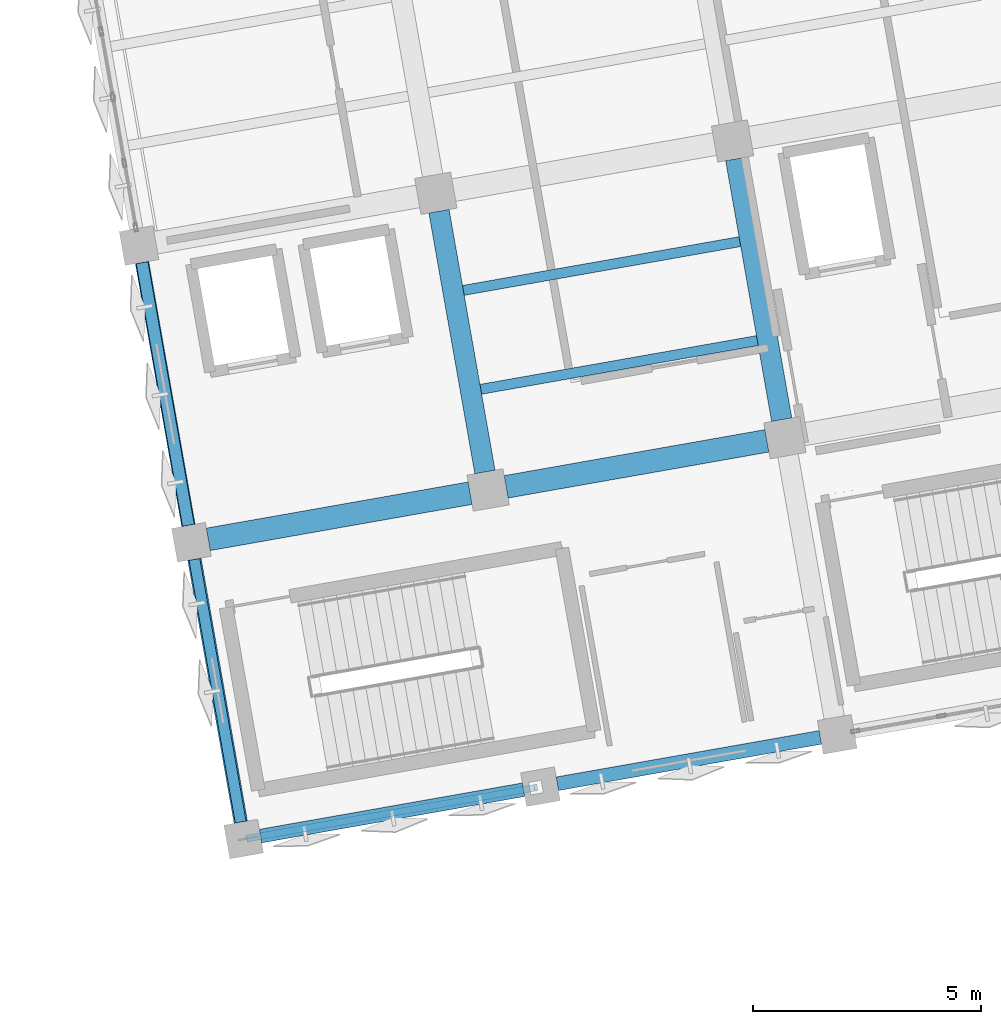
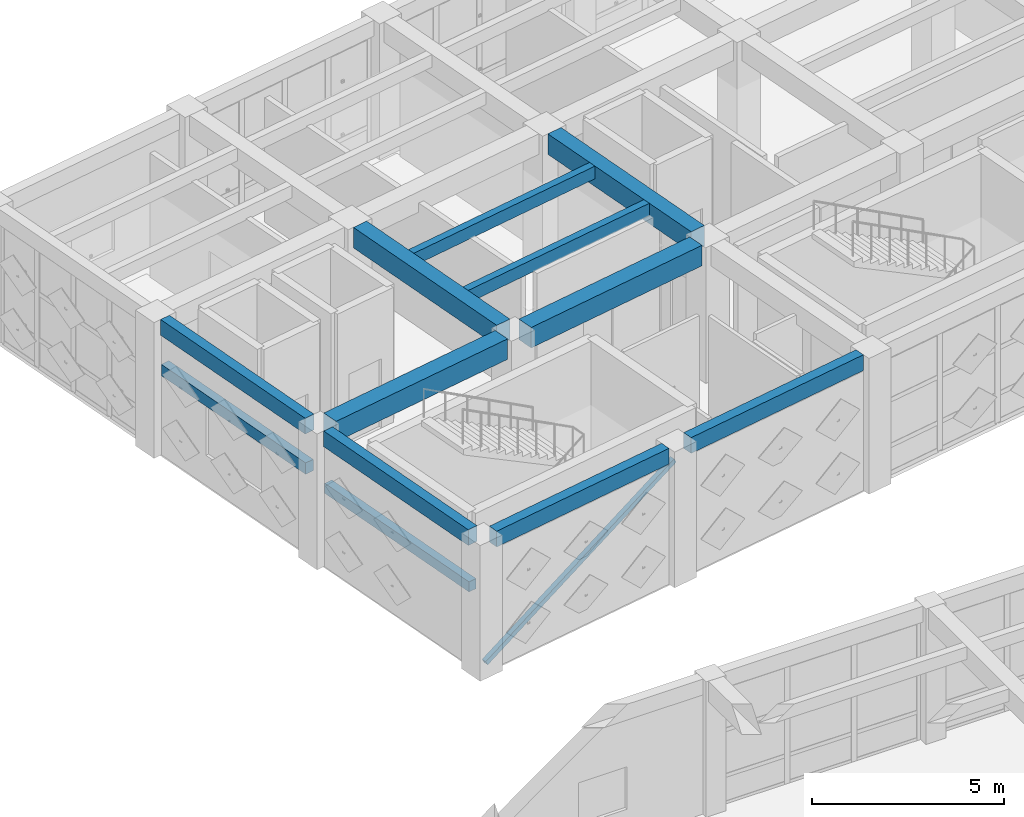
# One storey, part 17 of 80: 12 beams, 1 member.
"""IFC4 building model written with IfcOpenShell, lengths in metres."""

import ifcopenshell
import ifcopenshell.guid

model = None  # the IFC model being written
_history = None  # IfcOwnerHistory: only IFC2X3 demands one
_inside = {}  # id of a spatial element -> (the spatial element, [elements in it])
_under = {}  # id of a project, library or spatial element -> (it, [spatial elements below it])
_declared = {}  # id of a project -> (the project, [libraries it declares])
_typed = {}  # id of a type object -> (the type object, [elements of that type])
_made_of = {}  # id of a material, layer set ... -> (it, [elements and type objects made of it])


def new_model(schema):
    """Start an empty IFC model of exactly this schema.

    Asked for "IFC4X3", IfcOpenShell would pick the latest addendum, in which some entities
    have other attributes; the version numbers below select the first issue.
    IFC2X3 requires an IfcOwnerHistory on every rooted entity: one is made here for all.
    """
    global model, _history
    if schema == "IFC4X3":
        model = ifcopenshell.file(schema_version=(4, 3, 0, 0))
    else:
        model = ifcopenshell.file(schema=schema)
    _inside.clear()
    _under.clear()
    _declared.clear()
    _typed.clear()
    _made_of.clear()
    _history = None
    if model.schema == "IFC2X3":
        org = make("IfcOrganization", Name="unknown")
        user = make(
            "IfcPersonAndOrganization",
            ThePerson=make("IfcPerson", FamilyName="unknown"),
            TheOrganization=org,
        )
        app = make(
            "IfcApplication",
            ApplicationDeveloper=org,
            Version="unknown",
            ApplicationFullName="unknown",
            ApplicationIdentifier="unknown",
        )
        _history = make(
            "IfcOwnerHistory",
            OwningUser=user,
            OwningApplication=app,
            ChangeAction="ADDED",
            CreationDate=0,
        )
    return model


def make(cls, **values):
    """One entity of the class cls with the attributes given. An attribute that is None is left unset."""
    return model.create_entity(
        cls, **{name: value for name, value in values.items() if value is not None}
    )


def rooted(cls, **values):
    """An entity with a GlobalId (a new one), such as an element, a storey or a relation."""
    return make(cls, GlobalId=ifcopenshell.guid.new(), OwnerHistory=_history, **values)


def si_unit(unit_type, name, prefix=None):
    """IfcSIUnit, for example si_unit("LENGTHUNIT", "METRE", prefix="MILLI")."""
    return make("IfcSIUnit", UnitType=unit_type, Prefix=prefix, Name=name)


def assignment(units):
    """IfcUnitAssignment: the units of a project."""
    return None if units is None else make("IfcUnitAssignment", Units=units)


def point(xyz):
    """IfcCartesianPoint."""
    return None if xyz is None else make("IfcCartesianPoint", Coordinates=xyz)


def direction(xyz):
    """IfcDirection."""
    return None if xyz is None else make("IfcDirection", DirectionRatios=xyz)


def frame(location, z_axis=None, x_axis=None):
    """IfcAxis2Placement3D, a coordinate frame: its origin and axes. An axis left out is left unset."""
    return make(
        "IfcAxis2Placement3D",
        Location=point(location),
        Axis=direction(z_axis),
        RefDirection=direction(x_axis),
    )


def frame_2d(location, x_axis=None):
    """IfcAxis2Placement2D, a coordinate frame in the plane: its origin and x axis."""
    return make(
        "IfcAxis2Placement2D", Location=point(location), RefDirection=direction(x_axis)
    )


def origin():
    """The frame at (0, 0, 0) with its axes left unset."""
    return frame((0.0, 0.0, 0.0))


def origin_2d():
    """The frame at (0, 0) in the plane with its x axis left unset."""
    return frame_2d((0.0, 0.0))


def place(relative_to, where):
    """IfcLocalPlacement: puts the frame where relative to a parent placement (None: the world)."""
    return make(
        "IfcLocalPlacement", PlacementRelTo=relative_to, RelativePlacement=where
    )


def context(
    kind, dimensions, precision=None, world=None, true_north=None, identifier=None
):
    """IfcGeometricRepresentationContext, for example the 3D "Model" context."""
    return make(
        "IfcGeometricRepresentationContext",
        ContextIdentifier=identifier,
        ContextType=kind,
        CoordinateSpaceDimension=dimensions,
        Precision=precision,
        WorldCoordinateSystem=world,
        TrueNorth=true_north,
    )


def subcontext(parent, identifier, kind, view, scale=None):
    """IfcGeometricRepresentationSubContext, for example "Body" below "Model"."""
    return make(
        "IfcGeometricRepresentationSubContext",
        ContextIdentifier=identifier,
        ContextType=kind,
        ParentContext=parent,
        TargetScale=scale,
        TargetView=view,
    )


def project(units=None, contexts=None):
    """IfcProject with its units and contexts."""
    return rooted(
        "IfcProject",
        Name="project",
        RepresentationContexts=contexts,
        UnitsInContext=assignment(units),
    )


def spatial(cls, under=None, at=None, **own):
    """A site, building, storey or space (cls), placed at a placement, below another one or the project."""
    s = rooted(cls, ObjectPlacement=at, **own)
    if under is not None:
        _under.setdefault(under.id(), (under, []))[1].append(s)
    return s


def profile(cls, at=None, kind="AREA", **sizes):
    """A parametric profile (cls). Its sizes go by their IFC names, for example OverallWidth=200.0."""
    return make(cls, ProfileType=kind, Position=at, **sizes)


def rectangle(**sizes):
    """IfcRectangleProfileDef."""
    return profile("IfcRectangleProfileDef", **sizes)


def hollow_rectangle(**sizes):
    """IfcRectangleHollowProfileDef."""
    return profile("IfcRectangleHollowProfileDef", **sizes)


def extrude(swept, where, along, depth):
    """IfcExtrudedAreaSolid: the profile swept, set in the frame where, extruded along a direction by depth."""
    return make(
        "IfcExtrudedAreaSolid",
        SweptArea=swept,
        Position=where,
        ExtrudedDirection=direction(along),
        Depth=depth,
    )


def shape(context_of_items, identifier, shape_type, items):
    """IfcShapeRepresentation: the items that make up one representation, for example the "Body"."""
    return make(
        "IfcShapeRepresentation",
        ContextOfItems=context_of_items,
        RepresentationIdentifier=identifier,
        RepresentationType=shape_type,
        Items=items,
    )


def material(Name=None, Category=None):
    """IfcMaterial."""
    return make("IfcMaterial", Name=Name, Category=Category)


def material_profile(
    of_material, cross_section, Name=None, Category=None, Priority=None
):
    """IfcMaterialProfile: a cross section and its material."""
    return make(
        "IfcMaterialProfile",
        Name=Name,
        Material=of_material,
        Profile=cross_section,
        Priority=Priority,
        Category=Category,
    )


def profile_set(profiles, Name=None, composite=None):
    """IfcMaterialProfileSet."""
    return make(
        "IfcMaterialProfileSet",
        Name=Name,
        MaterialProfiles=profiles,
        CompositeProfile=composite,
    )


def made_of(thing, what):
    """Note that an element or type object is made of a material, layer set ...; save() writes the relation."""
    if what is not None:
        _made_of.setdefault(what.id(), (what, []))[1].append(thing)
    return thing


def type_object(cls, material=None, **own):
    """A type object (cls), such as IfcWallType, which elements share."""
    return made_of(rooted(cls, **own), material)


def element(
    cls,
    number,
    at=None,
    inside=None,
    cuts=None,
    type_object=None,
    material=None,
    context=None,
    identifier="Body",
    shape_type=None,
    held_by="IfcProductDefinitionShape",
    body=None,
    shapes=None,
    **own,
):
    """One element of the class cls, such as IfcWall. Its Tag is "e" and its number.

    at: its placement. inside: the storey or other place that contains it. cuts: it is an
    opening in that element (IfcRelVoidsElement). A single representation is given by context,
    identifier, shape_type and body (its items); several are given by shapes. held_by: the class
    of the entity that holds the representations. save() writes the other relations.
    """
    e = rooted(cls, Tag="e%d" % number, ObjectPlacement=at, **own)
    if body is not None:
        shapes = [shape(context, identifier, shape_type, body)]
    if shapes is not None:
        e.Representation = make(held_by, Representations=shapes)
    if inside is not None:
        _inside.setdefault(inside.id(), (inside, []))[1].append(e)
    if cuts is not None:
        rooted(
            "IfcRelVoidsElement", RelatingBuildingElement=cuts, RelatedOpeningElement=e
        )
    if type_object is not None:
        _typed.setdefault(type_object.id(), (type_object, []))[1].append(e)
    return made_of(e, material)


def aggregate(whole, parts):
    """IfcRelAggregates: a whole, such as a stair, and the parts it consists of."""
    return rooted("IfcRelAggregates", RelatingObject=whole, RelatedObjects=parts)


def save(model, path):
    """Write the relations noted so far, then the file.

    IfcRelAggregates (storeys below a building ...), IfcRelContainedInSpatialStructure (elements
    in a storey), IfcRelDefinesByType, IfcRelAssociatesMaterial and IfcRelDeclares: one each for
    every whole, place, type object, material and project.
    """
    for whole, parts in _under.values():
        aggregate(whole, parts)
    for where, things in _inside.values():
        rooted(
            "IfcRelContainedInSpatialStructure",
            RelatedElements=things,
            RelatingStructure=where,
        )
    for kind, things in _typed.values():
        rooted("IfcRelDefinesByType", RelatedObjects=things, RelatingType=kind)
    for what, things in _made_of.values():
        rooted("IfcRelAssociatesMaterial", RelatedObjects=things, RelatingMaterial=what)
    for by, libraries in _declared.values():
        rooted("IfcRelDeclares", RelatingContext=by, RelatedDefinitions=libraries)
    model.write(path)


model = new_model("IFC4")

# Units and contexts
model_context = context("Model", 3, precision=1e-05, world=origin(), true_north=direction((0.0, 1.0)))
body_context = subcontext(model_context, "Body", "Model", "MODEL_VIEW")
ifc_project = project(units=[si_unit("LENGTHUNIT", "METRE"), si_unit("AREAUNIT", "SQUARE_METRE"), si_unit("VOLUMEUNIT", "CUBIC_METRE"), si_unit("PLANEANGLEUNIT", "RADIAN"), si_unit("MASSUNIT", "GRAM", prefix="KILO")], contexts=[model_context])

# Site, building, storey
site_placement = place(None, origin())
site = spatial("IfcSite", under=ifc_project, at=site_placement, CompositionType="ELEMENT")
building_placement = place(site_placement, origin())
building = spatial("IfcBuilding", under=site, at=building_placement, Name="Kharisveld Research Institute", CompositionType="ELEMENT")
storey_placement = place(building_placement, frame((0.0, 0.0, 5.10009765625)))
storey = spatial("IfcBuildingStorey", under=building, at=storey_placement, Name="L01", CompositionType="ELEMENT", Elevation=5.10009765625)

# Beams
ifc_material_1 = material(Name="Concrete C40/50", Category="concrete")
ifc_material_profile_1 = material_profile(ifc_material_1, rectangle(XDim=0.449951171875, YDim=0.64990234375, at=origin_2d()))
ifc_profile_set_1 = profile_set([ifc_material_profile_1], Name="Concrete C40/50")
beam_type_1 = type_object("IfcBeamType", Name="BM_RC_450x650", PredefinedType="BEAM", material=ifc_profile_set_1)
for number, where, z_axis, x_axis, name in (
    (1, (10.484130859375, 43.0498046875, 3.98486328125), (-0.17363405094, 0.984810243831, 0.0), (-0.984810243831, -0.17363405094, 0.0), "BM:V1:L01:V1_1"),
    (2, (16.98388671875, 44.19580078125, 3.98486328125), (-0.17363405094, 0.984810243831, 0.0), (-0.984810243831, -0.17363405094, 0.0), "BM:V1:L01:V2_1"),
):
    element("IfcBeam", number, at=place(storey_placement, frame(where, z_axis=z_axis, x_axis=x_axis)), inside=storey, type_object=beam_type_1, Name=name, PredefinedType="BEAM", context=body_context, shape_type="SweptSolid", body=[
        extrude(rectangle(XDim=0.449951171875, YDim=0.64990234375, at=origin_2d()), origin(), (0.0, 0.0, 1.0), 5.800048828125),
    ])
ifc_material_2 = material(Name="Concrete C40/50", Category="concrete")
ifc_material_profile_2 = material_profile(ifc_material_2, rectangle(XDim=0.5, YDim=0.64990234375, at=origin_2d()))
ifc_profile_set_2 = profile_set([ifc_material_profile_2], Name="Concrete C40/50")
beam_type_2 = type_object("IfcBeamType", Name="BM_RC_500x650", PredefinedType="BEAM", material=ifc_profile_set_2)
beam_1_placement = place(storey_placement, frame((4.42333984375, 41.574951171875, 3.98486328125), z_axis=(0.984807600618, 0.173649041937, 0.0), x_axis=(-0.173649041937, 0.984807600618, 0.0)))
element("IfcBeam", 3, at=beam_1_placement, inside=storey, type_object=beam_type_2, Name="BM:V1:L01:U0_1", PredefinedType="BEAM", context=body_context, shape_type="SweptSolid", body=[
    extrude(rectangle(XDim=0.5, YDim=0.64990234375, at=origin_2d()), origin(), (0.0, 0.0, 1.0), 5.82470703125),
])
beam_2_placement = place(storey_placement, frame((10.947509765625, 42.725341796875, 3.98486328125), z_axis=(0.984810243831, 0.17363405094, 0.0), x_axis=(-0.17363405094, 0.984810243831, 0.0)))
element("IfcBeam", 4, at=beam_2_placement, inside=storey, type_object=beam_type_2, Name="BM:V1:L01:U1_1", PredefinedType="BEAM", context=body_context, shape_type="SweptSolid", body=[
    extrude(rectangle(XDim=0.5, YDim=0.64990234375, at=origin_2d()), origin(), (0.0, 0.0, 1.0), 5.800048828125),
])

# Member
ifc_material_3 = material(Name="Steel S355J2H", Category="steel")
ifc_material_profile_3 = material_profile(ifc_material_3, hollow_rectangle(XDim=0.14990234375, YDim=0.14990234375, WallThickness=0.008056640625, at=origin_2d()))
ifc_profile_set_3 = profile_set([ifc_material_profile_3], Name="Steel S355J2H")
member_type = type_object("IfcMemberType", Name="BR_SHS150", PredefinedType="BRACE", material=ifc_profile_set_3)
member_placement = place(storey_placement, frame((5.298583984375, 35.02734375, 0.199951171875), z_axis=(0.860618785546, 0.151748400674, 0.486114933794), x_axis=(-0.173646056486, 0.984808127031, 0.0)))
element("IfcMember", 5, at=member_placement, inside=storey, type_object=member_type, Name="MEM:V1:L01:BR_0_0", PredefinedType="BRACE", context=body_context, shape_type="SweptSolid", body=[
    extrude(hollow_rectangle(XDim=0.14990234375, YDim=0.14990234375, WallThickness=0.008056640625, at=origin_2d()), origin(), (0.0, 0.0, 1.0), 7.323486328125),
])

# Beams
ifc_material_4 = material(Name="Concrete C35/45", Category="concrete")
ifc_material_profile_4 = material_profile(ifc_material_4, rectangle(XDim=0.239990234375, YDim=0.320068359375, at=origin_2d()))
ifc_profile_set_4 = profile_set([ifc_material_profile_4], Name="Concrete C35/45")
beam_type_3 = type_object("IfcBeamType", Name="LN_RC_240x320", PredefinedType="LINTEL", material=ifc_profile_set_4)
beam_3_placement = place(storey_placement, frame((5.134033203125, 35.38427734375, 2.47998046875), z_axis=(-0.173658934779, 0.984805856183, 0.0), x_axis=(-0.984805856183, -0.173658934779, 0.0)))
element("IfcBeam", 6, at=beam_3_placement, inside=storey, type_object=beam_type_3, Name="BM:V1:L01:LINTEL_W0", PredefinedType="LINTEL", context=body_context, shape_type="SweptSolid", body=[
    extrude(rectangle(XDim=0.239990234375, YDim=0.320068359375, at=origin_2d()), origin(), (0.0, 0.0, 1.0), 5.83984375),
])
ifc_material_5 = material(Name="Concrete C35/45", Category="concrete")
ifc_material_profile_5 = material_profile(ifc_material_5, rectangle(XDim=0.260009765625, YDim=0.360107421875, at=origin_2d()))
ifc_profile_set_5 = profile_set([ifc_material_profile_5], Name="Concrete C35/45")
beam_type_4 = type_object("IfcBeamType", Name="LN_RC_260x360", PredefinedType="LINTEL", material=ifc_profile_set_5)
beam_4_placement = place(storey_placement, frame((3.988037109375, 41.884033203125, 2.699951171875), z_axis=(-0.173658934779, 0.984805856183, 0.0), x_axis=(-0.984805856183, -0.173658934779, 0.0)))
element("IfcBeam", 7, at=beam_4_placement, inside=storey, type_object=beam_type_4, Name="BM:V1:L01:LINTEL_W1", PredefinedType="LINTEL", context=body_context, shape_type="SweptSolid", body=[
    extrude(rectangle(XDim=0.260009765625, YDim=0.360107421875, at=origin_2d()), origin(), (0.0, 0.0, 1.0), 5.83984375),
])
ifc_material_6 = material(Name="Concrete C40/50", Category="concrete")
ifc_material_profile_6 = material_profile(ifc_material_6, rectangle(XDim=0.300048828125, YDim=0.5, at=origin_2d()))
ifc_profile_set_6 = profile_set([ifc_material_profile_6], Name="Concrete C40/50")
beam_type_5 = type_object("IfcBeamType", Name="SP_RC_300x500", PredefinedType="SPANDREL", material=ifc_profile_set_6)
for number, where, z_axis, x_axis, name in (
    (8, (5.5693359375, 35.0751953125, 4.059814453125), (0.984806238245, 0.17365676812, 0.0), (-0.17365676812, 0.984806238245, 0.0), "BM:V1:L01:U0_0"),
    (9, (12.069091796875, 36.22119140625, 4.059814453125), (0.984806238245, 0.17365676812, 0.0), (-0.17365676812, 0.984806238245, 0.0), "BM:V1:L01:U1_0"),
    (10, (5.134765625, 35.37939453125, 4.059814453125), (-0.173616291867, 0.984813374807, 0.0), (-0.984813374807, -0.173616291867, 0.0), "BM:V1:L01:V0_0"),
    (11, (3.98876953125, 41.879150390625, 4.059814453125), (-0.17365676812, 0.984806238245, 0.0), (-0.984806238245, -0.17365676812, 0.0), "BM:V1:L01:V0_1"),
):
    element("IfcBeam", number, at=place(storey_placement, frame(where, z_axis=z_axis, x_axis=x_axis)), inside=storey, type_object=beam_type_5, Name=name, PredefinedType="SPANDREL", context=body_context, shape_type="SweptSolid", body=[
        extrude(rectangle(XDim=0.300048828125, YDim=0.5, at=origin_2d()), origin(), (0.0, 0.0, 1.0), 5.849853515625),
    ])
ifc_material_7 = material(Name="Concrete C40/50", Category="concrete")
ifc_material_profile_7 = material_profile(ifc_material_7, rectangle(XDim=0.219970703125, YDim=0.39990234375, at=origin_2d()))
ifc_profile_set_7 = profile_set([ifc_material_profile_7], Name="Concrete C40/50")
beam_type_6 = type_object("IfcBeamType", Name="WB_RC_220x400", PredefinedType="JOIST", material=ifc_profile_set_7)
beam_5_placement = place(storey_placement, frame((10.393310546875, 44.861572265625, 4.10986328125), z_axis=(0.984808726596, 0.17364265611, 0.0), x_axis=(-0.17364265611, 0.984808726596, 0.0)))
element("IfcBeam", 12, at=beam_5_placement, inside=storey, type_object=beam_type_6, Name="BM:V1:L01:J_1_1_R1", PredefinedType="JOIST", context=body_context, shape_type="SweptSolid", body=[
    extrude(rectangle(XDim=0.219970703125, YDim=0.39990234375, at=origin_2d()), origin(), (0.0, 0.0, 1.0), 6.14990234375),
])
beam_6_placement = place(storey_placement, frame((10.01123046875, 47.028076171875, 4.10986328125), z_axis=(0.984809923515, 0.173635867682, 0.0), x_axis=(-0.173635867682, 0.984809923515, 0.0)))
element("IfcBeam", 13, at=beam_6_placement, inside=storey, type_object=beam_type_6, Name="BM:V1:L01:J_1_1_R2", PredefinedType="JOIST", context=body_context, shape_type="SweptSolid", body=[
    extrude(rectangle(XDim=0.219970703125, YDim=0.39990234375, at=origin_2d()), origin(), (0.0, 0.0, 1.0), 6.150146484375),
])

save(model, "model.ifc")
